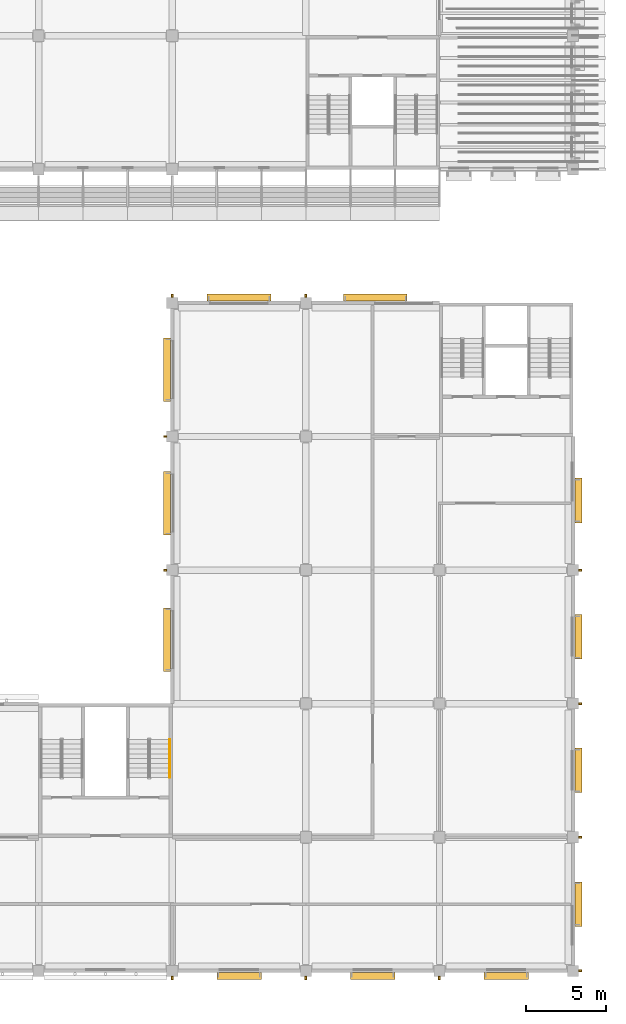
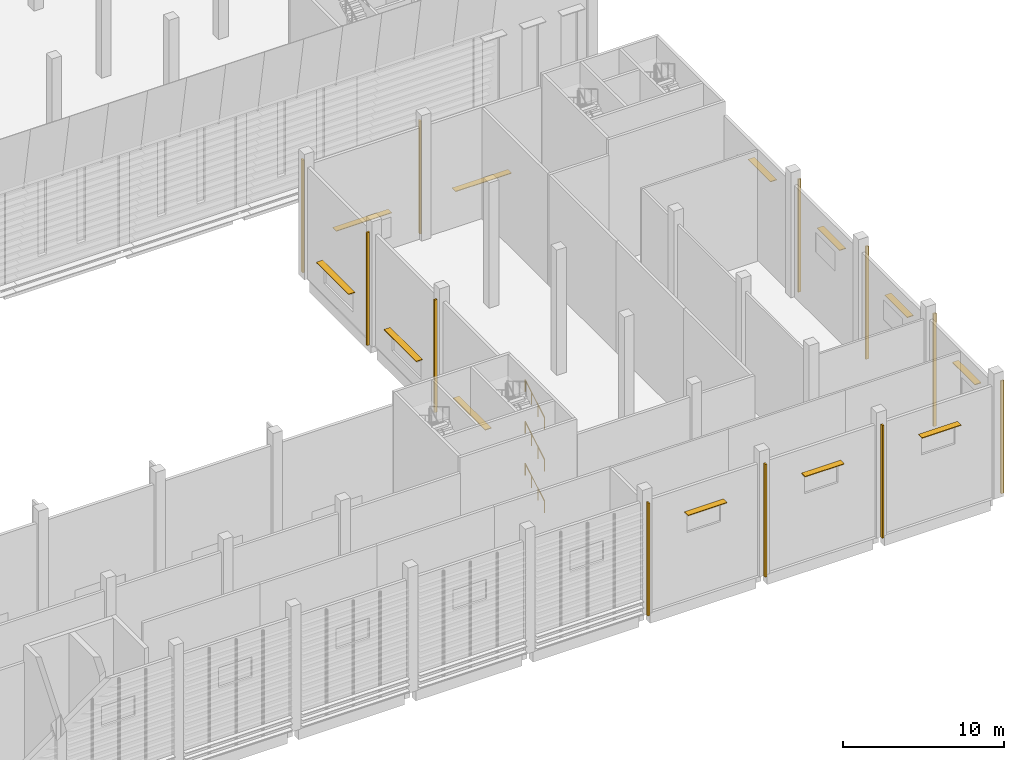
# One storey, part 108 of 114: 23 shading devices, 3 railings.
"""IFC4 building model written with IfcOpenShell, lengths in metres."""

from ifc_helpers import new_model, si_unit, direction, frame, origin, origin_2d, place, context, subcontext, project, spatial, rectangle, circle, extrude, material, material_profile, profile_set, type_object, element, save


model = new_model("IFC4")

# Units and contexts
model_context = context("Model", 3, precision=1e-05, world=origin(), true_north=direction((0.0, 1.0)))
body_context = subcontext(model_context, "Body", "Model", "MODEL_VIEW")
ifc_project = project(units=[si_unit("LENGTHUNIT", "METRE"), si_unit("AREAUNIT", "SQUARE_METRE"), si_unit("VOLUMEUNIT", "CUBIC_METRE"), si_unit("PLANEANGLEUNIT", "RADIAN"), si_unit("MASSUNIT", "GRAM", prefix="KILO")], contexts=[model_context])

# Site, building, storey
site_placement = place(None, origin())
site = spatial("IfcSite", under=ifc_project, at=site_placement, CompositionType="ELEMENT")
building_placement = place(site_placement, origin())
building = spatial("IfcBuilding", under=site, at=building_placement, Name="Almond Square Museum", CompositionType="ELEMENT")
storey_placement = place(building_placement, frame((0.0, 0.0, 10.5)))
storey = spatial("IfcBuildingStorey", under=building, at=storey_placement, Name="L02", CompositionType="ELEMENT", Elevation=10.5)

# Railings
ifc_material_1 = material(Name="Stainless steel", Category="steel")
railing_type = type_object("IfcRailingType", Name="Stair handrail 900 steel", PredefinedType="HANDRAIL", material=ifc_material_1)
railing_placement = place(storey_placement, frame((131.844970703125, 12.14990234375, 0.176025390625)))
element("IfcRailing", 1, at=railing_placement, inside=storey, type_object=railing_type, Name="L02 ST-32 stair handrail 1", PredefinedType="HANDRAIL", context=body_context, shape_type="SweptSolid", body=[
    extrude(circle(Radius=0.02392578125, at=origin_2d()), frame((0.0, 0.0, 0.8759765625), z_axis=(0.0, 0.862659684245, 0.505784805207), x_axis=(-1.0, 0.0, 0.0)), (0.0, 0.0, 1.0), 2.7822265625),
    extrude(circle(Radius=0.02099609375, at=origin_2d()), origin(), (0.0, 0.0, 1.0), 0.851806640625),
    extrude(circle(Radius=0.02099609375, at=origin_2d()), frame((0.0, 0.800048828125, 0.468994140625)), (0.0, 0.0, 1.0), 0.851806640625),
    extrude(circle(Radius=0.02099609375, at=origin_2d()), frame((0.0, 1.60009765625, 0.938232421875)), (0.0, 0.0, 1.0), 0.851806640625),
    extrude(circle(Radius=0.02099609375, at=origin_2d()), frame((0.0, 2.400146484375, 1.4072265625)), (0.0, 0.0, 1.0), 0.851806640625),
])
for number, where, name in (
    (2, (131.844970703125, 12.14990234375, 3.342529296875), "L02 ST-32 stair handrail 3"),
    (3, (131.844970703125, 12.14990234375, 6.50927734375), "L02 ST-32 stair handrail 5"),
):
    element("IfcRailing", number, at=place(storey_placement, frame(where)), inside=storey, type_object=railing_type, Name=name, PredefinedType="HANDRAIL", context=body_context, shape_type="SweptSolid", body=[
        extrude(circle(Radius=0.02392578125, at=origin_2d()), frame((0.0, 0.0, 0.8759765625), z_axis=(0.0, 0.862621396848, 0.505850102007), x_axis=(-1.0, 0.0, 0.0)), (0.0, 0.0, 1.0), 2.782470703125),
        extrude(circle(Radius=0.02099609375, at=origin_2d()), origin(), (0.0, 0.0, 1.0), 0.851806640625),
        extrude(circle(Radius=0.02099609375, at=origin_2d()), frame((0.0, 0.800048828125, 0.46923828125)), (0.0, 0.0, 1.0), 0.851806640625),
        extrude(circle(Radius=0.02099609375, at=origin_2d()), frame((0.0, 1.60009765625, 0.938232421875)), (0.0, 0.0, 1.0), 0.851806640625),
        extrude(circle(Radius=0.02099609375, at=origin_2d()), frame((0.0, 2.400146484375, 1.407470703125)), (0.0, 0.0, 1.0), 0.851806640625),
    ])

# Shading devices
ifc_material_2 = material(Name="Anodised aluminium", Category="aluminium")
ifc_material_profile_1 = material_profile(ifc_material_2, rectangle(XDim=0.449951171875, YDim=0.050048828125, at=origin_2d()))
ifc_profile_set_1 = profile_set([ifc_material_profile_1], Name="Anodised aluminium")
shading_device_type_1 = type_object("IfcShadingDeviceType", Name="Sun-shade blade 450 x 50", PredefinedType="USERDEFINED", material=ifc_profile_set_1)
for number, where, z_axis, x_axis, name in (
    (4, (134.800048828125, -0.3330078125, 6.6201171875), (1.0, 0.0, 0.0), (0.0, 1.0, 0.0), "Sun-shade blade"),
    (5, (143.199951171875, -0.3330078125, 6.6201171875), (1.0, 0.0, 0.0), (0.0, 1.0, 0.0), "Sun-shade blade"),
):
    element("IfcShadingDevice", number, at=place(storey_placement, frame(where, z_axis=z_axis, x_axis=x_axis)), inside=storey, type_object=shading_device_type_1, Name=name, ObjectType="LOUVRE", PredefinedType="USERDEFINED", context=body_context, shape_type="SweptSolid", body=[
        extrude(rectangle(XDim=0.449951171875, YDim=0.050048828125, at=origin_2d()), origin(), (0.0, 0.0, 1.0), 2.800048828125),
    ])
shading_device_1_placement = place(storey_placement, frame((151.60009765625, -0.3330078125, 6.6201171875), z_axis=(1.0, 0.0, 0.0), x_axis=(0.0, 1.0, 0.0)))
element("IfcShadingDevice", 6, at=shading_device_1_placement, inside=storey, type_object=shading_device_type_1, Name="Sun-shade blade", ObjectType="LOUVRE", PredefinedType="USERDEFINED", context=body_context, shape_type="SweptSolid", body=[
    extrude(rectangle(XDim=0.449951171875, YDim=0.050048828125, at=origin_2d()), origin(), (0.0, 0.0, 1.0), 2.7998046875),
])
for number, where, z_axis, x_axis, name in (
    (7, (157.532958984375, 2.800048828125, 6.6201171875), (0.0, 1.0, 0.0), (-1.0, 0.0, 0.0), "Sun-shade blade"),
    (8, (157.532958984375, 11.199951171875, 6.6201171875), (0.0, 1.0, 0.0), (-1.0, 0.0, 0.0), "Sun-shade blade"),
):
    element("IfcShadingDevice", number, at=place(storey_placement, frame(where, z_axis=z_axis, x_axis=x_axis)), inside=storey, type_object=shading_device_type_1, Name=name, ObjectType="LOUVRE", PredefinedType="USERDEFINED", context=body_context, shape_type="SweptSolid", body=[
        extrude(rectangle(XDim=0.449951171875, YDim=0.050048828125, at=origin_2d()), origin(), (0.0, 0.0, 1.0), 2.800048828125),
    ])
shading_device_2_placement = place(storey_placement, frame((157.532958984375, 19.60009765625, 6.6201171875), z_axis=(0.0, 1.0, 0.0), x_axis=(-1.0, 0.0, 0.0)))
element("IfcShadingDevice", 9, at=shading_device_2_placement, inside=storey, type_object=shading_device_type_1, Name="Sun-shade blade", ObjectType="LOUVRE", PredefinedType="USERDEFINED", context=body_context, shape_type="SweptSolid", body=[
    extrude(rectangle(XDim=0.449951171875, YDim=0.050048828125, at=origin_2d()), origin(), (0.0, 0.0, 1.0), 2.7998046875),
])
shading_device_3_placement = place(storey_placement, frame((157.532958984375, 28.175048828125, 6.6201171875), z_axis=(0.0, 1.0, 0.0), x_axis=(-1.0, 0.0, 0.0)))
element("IfcShadingDevice", 10, at=shading_device_3_placement, inside=storey, type_object=shading_device_type_1, Name="Sun-shade blade", ObjectType="LOUVRE", PredefinedType="USERDEFINED", context=body_context, shape_type="SweptSolid", body=[
    extrude(rectangle(XDim=0.449951171875, YDim=0.050048828125, at=origin_2d()), origin(), (0.0, 0.0, 1.0), 2.800048828125),
])
for number, where, z_axis, x_axis, name in (
    (11, (142.77490234375, 42.3330078125, 2.52001953125), (1.0, 0.0, 0.0), (0.0, 1.0, 0.0), "Sun-shade blade"),
    (12, (134.199951171875, 42.3330078125, 2.52001953125), (1.0, 0.0, 0.0), (0.0, 1.0, 0.0), "Sun-shade blade"),
    (13, (131.6669921875, 35.800048828125, 2.52001953125), (0.0, 1.0, 0.0), (-1.0, 0.0, 0.0), "Sun-shade blade"),
    (14, (131.6669921875, 27.39990234375, 2.52001953125), (0.0, 1.0, 0.0), (-1.0, 0.0, 0.0), "Sun-shade blade"),
    (15, (131.6669921875, 18.824951171875, 2.52001953125), (0.0, 1.0, 0.0), (-1.0, 0.0, 0.0), "Sun-shade blade"),
):
    element("IfcShadingDevice", number, at=place(storey_placement, frame(where, z_axis=z_axis, x_axis=x_axis)), inside=storey, type_object=shading_device_type_1, Name=name, ObjectType="LOUVRE", PredefinedType="USERDEFINED", context=body_context, shape_type="SweptSolid", body=[
        extrude(rectangle(XDim=0.449951171875, YDim=0.050048828125, at=origin_2d()), origin(), (0.0, 0.0, 1.0), 4.0),
    ])
ifc_material_3 = material(Name="Anodised aluminium", Category="aluminium")
ifc_material_profile_2 = material_profile(ifc_material_3, rectangle(XDim=0.199951171875, YDim=0.1201171875, at=origin_2d()))
ifc_profile_set_2 = profile_set([ifc_material_profile_2], Name="Anodised aluminium")
shading_device_type_2 = type_object("IfcShadingDeviceType", Name="Vertical aluminium fin 200 x 120", PredefinedType="USERDEFINED", material=ifc_profile_set_2)
for number, where, z_axis, x_axis, name in (
    (16, (132.0, -0.447998046875, 0.0), (0.0, 0.0, 1.0), (0.0, -1.0, 0.0), "Vertical fin V5E L02 S01"),
    (17, (140.39990234375, -0.447998046875, 0.0), (0.0, 0.0, 1.0), (0.0, -1.0, 0.0), "Vertical fin V5E L02 S02"),
    (18, (148.800048828125, -0.447998046875, 0.0), (0.0, 0.0, 1.0), (0.0, -1.0, 0.0), "Vertical fin V5E L02 S03"),
    (19, (157.64794921875, 0.0, 0.0), (0.0, 0.0, 1.0), (1.0, 0.0, 0.0), "Vertical fin V5E L02 E01"),
    (20, (157.64794921875, 8.39990234375, 0.0), (0.0, 0.0, 1.0), (1.0, 0.0, 0.0), "Vertical fin V5E L02 E02"),
    (21, (157.64794921875, 16.800048828125, 0.0), (0.0, 0.0, 1.0), (1.0, 0.0, 0.0), "Vertical fin V5E L02 E03"),
    (22, (157.64794921875, 25.199951171875, 0.0), (0.0, 0.0, 1.0), (1.0, 0.0, 0.0), "Vertical fin V5E L02 E04"),
    (23, (140.39990234375, 42.447998046875, 0.0), (0.0, 0.0, 1.0), (0.0, 1.0, 0.0), "Vertical fin V5E L02 N01"),
    (24, (132.0, 42.447998046875, 0.0), (0.0, 0.0, 1.0), (0.0, 1.0, 0.0), "Vertical fin V5E L02 N02"),
    (25, (131.552001953125, 33.60009765625, 0.0), (0.0, 0.0, 1.0), (-1.0, 0.0, 0.0), "Vertical fin V5E L02 W01"),
    (26, (131.552001953125, 25.199951171875, 0.0), (0.0, 0.0, 1.0), (-1.0, 0.0, 0.0), "Vertical fin V5E L02 W02"),
):
    element("IfcShadingDevice", number, at=place(storey_placement, frame(where, z_axis=z_axis, x_axis=x_axis)), inside=storey, type_object=shading_device_type_2, Name=name, ObjectType="FIN", PredefinedType="USERDEFINED", context=body_context, shape_type="SweptSolid", body=[
        extrude(rectangle(XDim=0.199951171875, YDim=0.1201171875, at=origin_2d()), origin(), (0.0, 0.0, 1.0), 8.550048828125),
    ])

save(model, "model.ifc")
